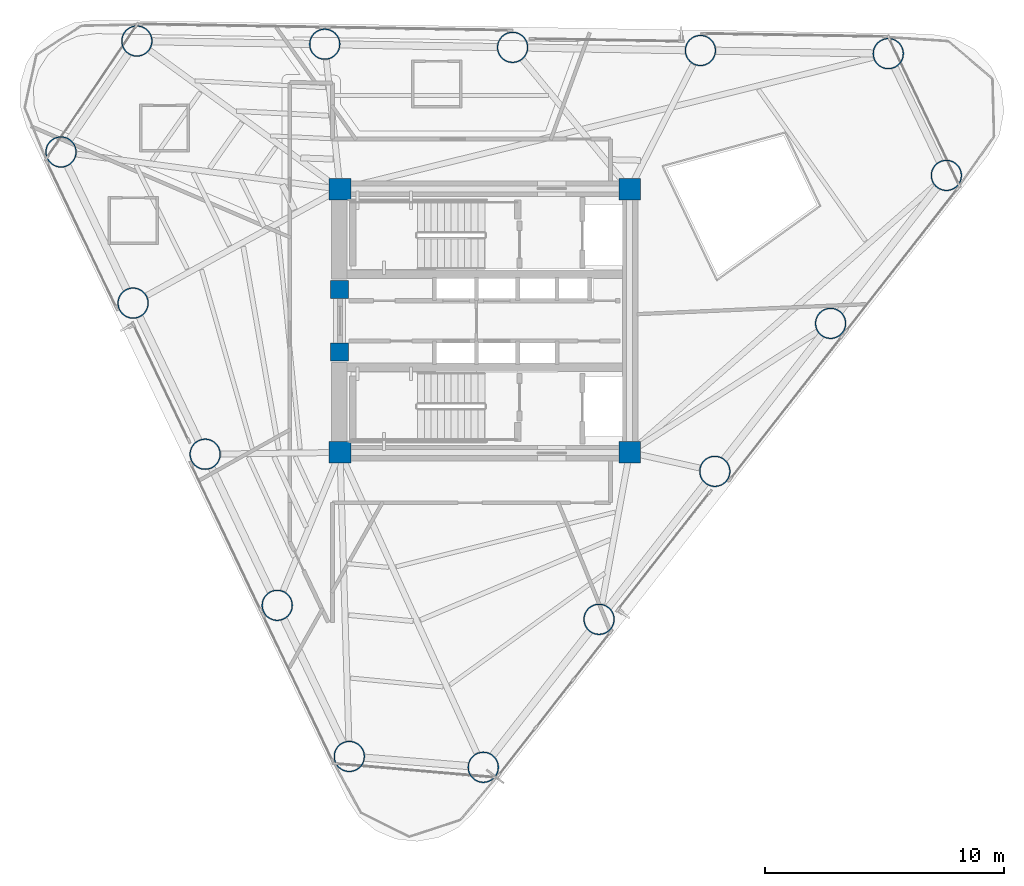
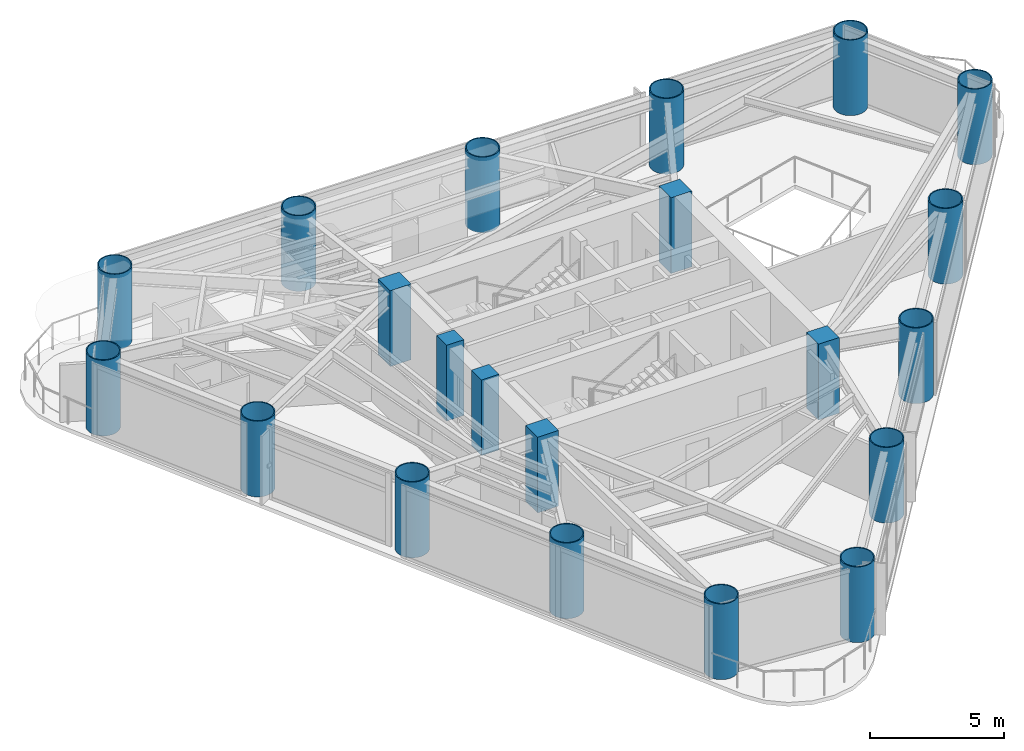
# One storey, part 1 of 10: 21 columns.
"""IFC4 building model written with IfcOpenShell, lengths in metres."""

from ifc_helpers import new_model, si_unit, direction, frame, origin, origin_2d, place, context, subcontext, project, spatial, rectangle, hollow_circle, extrude, source, transform, mapped, material, material_profile, profile_set, type_object, element, save


model = new_model("IFC4")

# Units and contexts
model_context = context("Model", 3, precision=1e-05, world=origin(), true_north=direction((0.0, 1.0)))
body_context = subcontext(model_context, "Body", "Model", "MODEL_VIEW")
ifc_project = project(units=[si_unit("LENGTHUNIT", "METRE"), si_unit("AREAUNIT", "SQUARE_METRE"), si_unit("VOLUMEUNIT", "CUBIC_METRE"), si_unit("PLANEANGLEUNIT", "RADIAN"), si_unit("MASSUNIT", "GRAM", prefix="KILO")], contexts=[model_context])

# Site, building, storey
site_placement = place(None, origin())
site = spatial("IfcSite", under=ifc_project, at=site_placement, CompositionType="ELEMENT")
building_placement = place(site_placement, origin())
building = spatial("IfcBuilding", under=site, at=building_placement, Name="Yunling Apex Tower", CompositionType="ELEMENT")
storey_placement = place(building_placement, frame((0.0, 0.0, 139.85009765625)))
storey = spatial("IfcBuildingStorey", under=building, at=storey_placement, Name="L34", CompositionType="ELEMENT", Elevation=139.85009765625)

# Columns
ifc_material_1 = material(Name="Concrete C60", Category="concrete")
ifc_material_profile_1 = material_profile(ifc_material_1, rectangle(XDim=0.89990234375, YDim=0.89990234375, at=origin_2d()))
ifc_profile_set_1 = profile_set([ifc_material_profile_1], Name="Concrete C60")
column_type_1 = type_object("IfcColumnType", Name="PC-SRC-3", PredefinedType="COLUMN", material=ifc_profile_set_1)
shared_shape_1 = source(origin(), body_context, "Body", "SweptSolid", [
    extrude(rectangle(XDim=0.89990234375, YDim=0.89990234375, at=origin_2d()), origin(), (0.0, 0.0, 1.0), 3.449951171875),
])
for number, where, z_axis, x_axis, name in (
    (1, (-6.050048828125, -5.5, 0.0), (0.0, 0.0, 1.0), (1.0, 0.0, 0.0), "L34 Core Spine Column CC-SW"),
    (2, (6.050048828125, -5.5, 0.0), (0.0, 0.0, 1.0), (1.0, 0.0, 0.0), "L34 Core Spine Column CC-SE"),
    (3, (6.050048828125, 5.5, 0.0), (0.0, 0.0, 1.0), (1.0, 0.0, 0.0), "L34 Core Spine Column CC-NE"),
    (4, (-6.050048828125, 5.5, 0.0), (0.0, 0.0, 1.0), (1.0, 0.0, 0.0), "L34 Core Spine Column CC-NW"),
):
    element("IfcColumn", number, at=place(storey_placement, frame(where, z_axis=z_axis, x_axis=x_axis)), inside=storey, type_object=column_type_1, Name=name, PredefinedType="COLUMN", context=body_context, shape_type="MappedRepresentation", body=[
        mapped(shared_shape_1, transform((0.0, 0.0, 0.0), scale=1.0)),
    ])
ifc_material_2 = material(Name="Concrete C50", Category="concrete")
ifc_material_profile_2 = material_profile(ifc_material_2, rectangle(XDim=0.75, YDim=0.75, at=origin_2d()))
ifc_profile_set_2 = profile_set([ifc_material_profile_2], Name="Concrete C50")
column_type_2 = type_object("IfcColumnType", Name="PC-SRC-4", PredefinedType="COLUMN", material=ifc_profile_set_2)
shared_shape_2 = source(origin(), body_context, "Body", "SweptSolid", [
    extrude(rectangle(XDim=0.75, YDim=0.75, at=origin_2d()), origin(), (0.0, 0.0, 1.0), 3.449951171875),
])
for number, where, z_axis, x_axis, name in (
    (5, (-6.074951171875, -1.300048828125, 0.0), (0.0, 0.0, 1.0), (1.0, 0.0, 0.0), "L34 Core West Portal Jamb Column S"),
    (6, (-6.074951171875, 1.300048828125, 0.0), (0.0, 0.0, 1.0), (1.0, 0.0, 0.0), "L34 Core West Portal Jamb Column N"),
):
    element("IfcColumn", number, at=place(storey_placement, frame(where, z_axis=z_axis, x_axis=x_axis)), inside=storey, type_object=column_type_2, Name=name, PredefinedType="COLUMN", context=body_context, shape_type="MappedRepresentation", body=[
        mapped(shared_shape_2, transform((0.0, 0.0, 0.0), scale=1.0)),
    ])
ifc_material_3 = material(Name="Steel Q390GJC", Category="steel")
ifc_material_profile_3 = material_profile(ifc_material_3, hollow_circle(Radius=0.64990234375, WallThickness=0.044921875, at=origin_2d()))
ifc_profile_set_3 = profile_set([ifc_material_profile_3], Name="Steel Q390GJC")
column_type_3 = type_object("IfcColumnType", Name="MC-CFST-3", PredefinedType="COLUMN", material=ifc_profile_set_3)
shared_shape_3 = source(origin(), body_context, "Body", "SweptSolid", [
    extrude(hollow_circle(Radius=0.64990234375, WallThickness=0.044921875, at=origin_2d()), origin(), (0.0, 0.0, 1.0), 3.449951171875),
])
for number, where, z_axis, x_axis, name in (
    (7, (-0.06396484375, -18.654541015625, 0.0), (0.0, 0.0, 1.0), (1.0, 0.0, 0.0), "L34 Perimeter CFST Mega-Column P01"),
    (8, (4.773193359375, -12.471923828125, 0.0), (0.0, 0.0, 1.0), (1.0, 0.0, 0.0), "L34 Perimeter CFST Mega-Column P02"),
    (9, (9.610595703125, -6.289306640625, 0.0), (0.0, 0.0, 1.0), (1.0, 0.0, 0.0), "L34 Perimeter CFST Mega-Column P03"),
    (10, (14.447998046875, -0.106689453125, 0.0), (0.0, 0.0, 1.0), (1.0, 0.0, 0.0), "L34 Perimeter CFST Mega-Column P04"),
    (11, (19.28515625, 6.075927734375, 0.0), (0.0, 0.0, 1.0), (1.0, 0.0, 0.0), "L34 Perimeter CFST Mega-Column P05"),
    (12, (16.8583984375, 11.163818359375, 0.0), (0.0, 0.0, 1.0), (1.0, 0.0, 0.0), "L34 Perimeter CFST Mega-Column P06"),
    (13, (9.009521484375, 11.295166015625, 0.0), (0.0, 0.0, 1.0), (1.0, 0.0, 0.0), "L34 Perimeter CFST Mega-Column P07"),
    (14, (1.160400390625, 11.4267578125, 0.0), (0.0, 0.0, 1.0), (1.0, 0.0, 0.0), "L34 Perimeter CFST Mega-Column P08"),
    (15, (-6.6884765625, 11.558349609375, 0.0), (0.0, 0.0, 1.0), (1.0, 0.0, 0.0), "L34 Perimeter CFST Mega-Column P09"),
    (16, (-14.53759765625, 11.68994140625, 0.0), (0.0, 0.0, 1.0), (1.0, 0.0, 0.0), "L34 Perimeter CFST Mega-Column P10"),
    (17, (-17.70849609375, 7.0546875, 0.0), (0.0, 0.0, 1.0), (1.0, 0.0, 0.0), "L34 Perimeter CFST Mega-Column P11"),
    (18, (-14.69677734375, 0.740478515625, 0.0), (0.0, 0.0, 1.0), (1.0, 0.0, 0.0), "L34 Perimeter CFST Mega-Column P12"),
    (19, (-11.685302734375, -5.573486328125, 0.0), (0.0, 0.0, 1.0), (1.0, 0.0, 0.0), "L34 Perimeter CFST Mega-Column P13"),
    (20, (-8.673583984375, -11.8876953125, 0.0), (0.0, 0.0, 1.0), (1.0, 0.0, 0.0), "L34 Perimeter CFST Mega-Column P14"),
    (21, (-5.661865234375, -18.201904296875, 0.0), (0.0, 0.0, 1.0), (1.0, 0.0, 0.0), "L34 Perimeter CFST Mega-Column P15"),
):
    element("IfcColumn", number, at=place(storey_placement, frame(where, z_axis=z_axis, x_axis=x_axis)), inside=storey, type_object=column_type_3, Name=name, PredefinedType="COLUMN", context=body_context, shape_type="MappedRepresentation", body=[
        mapped(shared_shape_3, transform((0.0, 0.0, 0.0), scale=1.0)),
    ])

save(model, "model.ifc")
